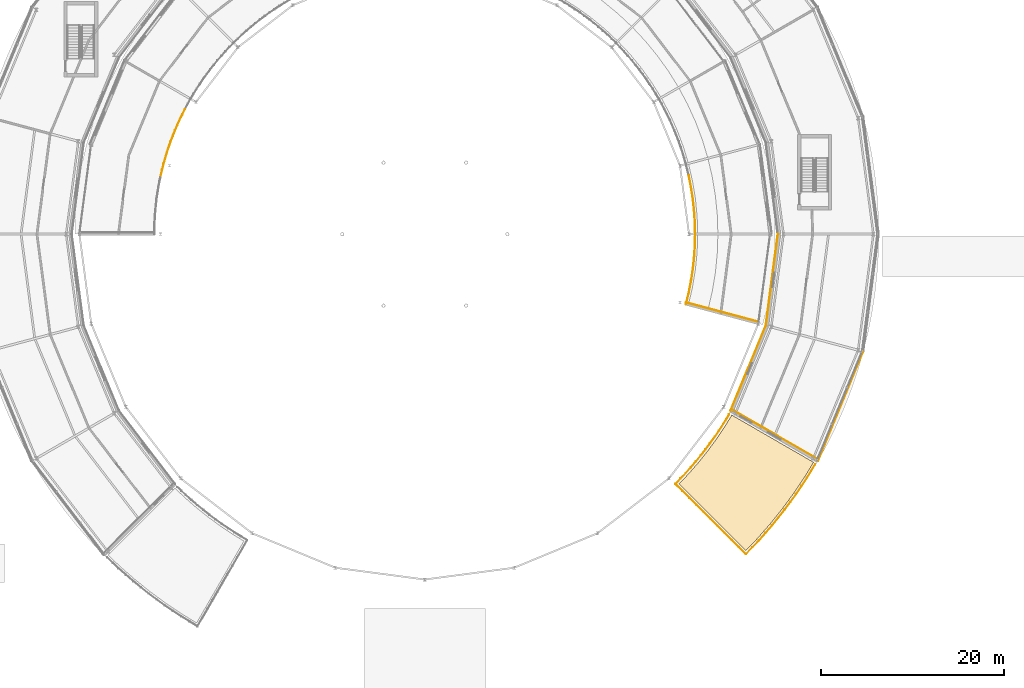
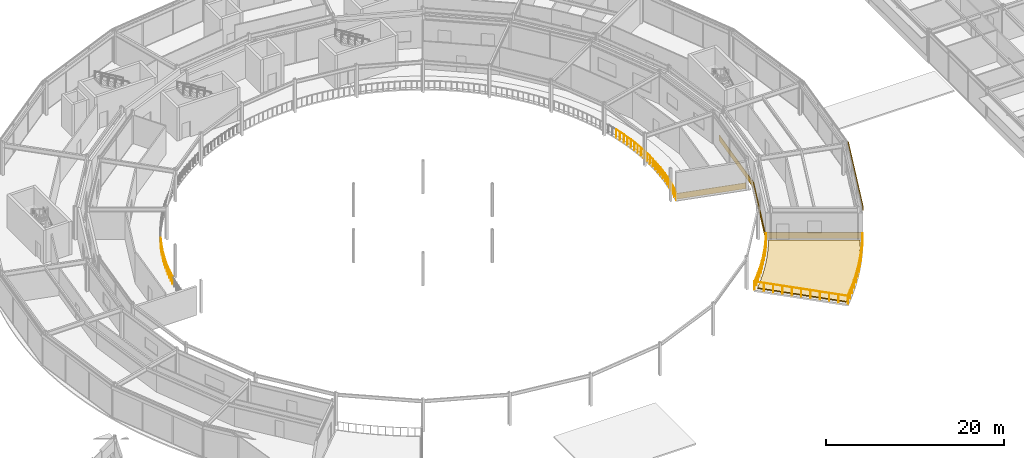
# One storey, part 117 of 133: 30 railings, 6 coverings.
"""IFC4 building model written with IfcOpenShell, lengths in metres."""

from ifc_helpers import new_model, si_unit, direction, frame, origin, origin_2d, place, context, subcontext, project, spatial, polyline, rectangle, circle, outline, extrude, material, layer, layer_set, type_object, element, save


model = new_model("IFC4")

# Units and contexts
model_context = context("Model", 3, precision=1e-05, world=origin(), true_north=direction((0.0, 1.0)))
body_context = subcontext(model_context, "Body", "Model", "MODEL_VIEW")
ifc_project = project(units=[si_unit("LENGTHUNIT", "METRE"), si_unit("AREAUNIT", "SQUARE_METRE"), si_unit("VOLUMEUNIT", "CUBIC_METRE"), si_unit("PLANEANGLEUNIT", "RADIAN"), si_unit("MASSUNIT", "GRAM", prefix="KILO")], contexts=[model_context])

# Site, building, storey
site_placement = place(None, origin())
site = spatial("IfcSite", under=ifc_project, at=site_placement, CompositionType="ELEMENT")
building_placement = place(site_placement, origin())
building = spatial("IfcBuilding", under=site, at=building_placement, Name="Almandine Court Research Institute", CompositionType="ELEMENT")
storey_placement = place(building_placement, frame((0.0, 0.0, 9.800048828125)))
storey = spatial("IfcBuildingStorey", under=building, at=storey_placement, Name="L02", CompositionType="ELEMENT", Elevation=9.800048828125)

# Coverings
ifc_material_1 = material(Name="Extruded Cream-Ochre Seismic Terracotta Spandrel", Category="masonry")
ifc_layer_1 = layer(ifc_material_1, 0.054931640625)
ifc_layer_set_1 = layer_set([ifc_layer_1], Name="Extruded Cream-Ochre Seismic Terracotta Spandrel")
covering_type_1 = type_object("IfcCoveringType", Name="Cov-CLAD-TERR", PredefinedType="CLADDING", material=ifc_layer_set_1)
covering_1_placement = place(storey_placement, frame((132.323974609375, 37.22607421875, 3.97998046875), z_axis=(0.0, 0.0, 1.0), x_axis=(-0.382683432365, -0.923879532511, 0.0)))
element("IfcCovering", 1, at=covering_1_placement, inside=storey, type_object=covering_type_1, Name="L02 Drum Stacked Terracotta Ring Band 22", PredefinedType="CLADDING", context=body_context, shape_type="SweptSolid", body=[
    extrude(rectangle(XDim=12.8779296875, YDim=0.054931640625, at=origin_2d()), origin(), (0.0, 0.0, 1.0), 0.419921875),
])
for number, where, z_axis, x_axis, name in (
    (2, (122.25390625, 41.39697265625, 0.02001953125), (0.0, 0.0, 1.0), (0.382683432365, 0.923879532511, 0.0), "L02 Facade Spandrel Cladding Band 337"),
    (3, (124.83203125, 51.01904296875, 0.02001953125), (0.0, 0.0, 1.0), (0.13052619222, 0.991444861374, 0.0), "L02 Facade Spandrel Cladding Band 339"),
):
    element("IfcCovering", number, at=place(storey_placement, frame(where, z_axis=z_axis, x_axis=x_axis)), inside=storey, type_object=covering_type_1, Name=name, PredefinedType="CLADDING", context=body_context, shape_type="SweptSolid", body=[
        extrude(rectangle(XDim=10.080078125, YDim=0.054931640625, at=origin_2d()), origin(), (0.0, 0.0, 1.0), 0.800048828125),
    ])
covering_2_placement = place(storey_placement, frame((125.18994140625, 34.14794921875, 0.02001953125), z_axis=(0.0, 0.0, 1.0), x_axis=(0.866025403784, -0.5, 0.0)))
element("IfcCovering", 4, at=covering_2_placement, inside=storey, type_object=covering_type_1, Name="L02 Facade Spandrel Cladding Band 370", PredefinedType="CLADDING", context=body_context, shape_type="SweptSolid", body=[
    extrude(rectangle(XDim=10.950927734375, YDim=0.054931640625, at=origin_2d()), origin(), (0.0, 0.0, 1.0), 0.800048828125),
])
covering_3_placement = place(storey_placement, frame((119.427001953125, 47.488037109375, 0.02001953125), z_axis=(0.0, 0.0, 1.0), x_axis=(0.965925826289, -0.258819045103, 0.0)))
element("IfcCovering", 5, at=covering_3_placement, inside=storey, type_object=covering_type_1, Name="L02 Facade Spandrel Cladding Band 462", PredefinedType="CLADDING", context=body_context, shape_type="SweptSolid", body=[
    extrude(rectangle(XDim=8.202880859375, YDim=0.054931640625, at=origin_2d()), origin(), (0.0, 0.0, 1.0), 0.800048828125),
])
ifc_material_2 = material(Name="Extensive Andean Sedum Planted Green Roof Build-Up")
ifc_layer_2 = layer(ifc_material_2, 0.139892578125)
ifc_layer_set_2 = layer_set([ifc_layer_2], Name="Extensive Andean Sedum Planted Green Roof Build-Up")
covering_type_2 = type_object("IfcCoveringType", Name="Cov-ROOF-GREEN", PredefinedType="ROOFING", material=ifc_layer_set_2)
covering_4_placement = place(storey_placement, origin())
element("IfcCovering", 6, at=covering_4_placement, inside=storey, type_object=covering_type_2, Name="L02 Planted Green Roof Covering 12", PredefinedType="ROOFING", context=body_context, shape_type="SweptSolid", body=[
    extrude(outline(polyline([(121.9970703125, 21.498046875), (114.714111328125, 28.781005859375), (115.64306640625, 29.75390625), (116.760986328125, 31.028076171875), (117.822021484375, 32.35009765625), (118.823974609375, 33.716064453125), (119.76611328125, 35.1259765625), (120.464111328125, 36.27587890625), (129.383056640625, 31.1259765625), (128.452880859375, 29.592041015625), (127.260986328125, 27.80908203125), (125.992919921875, 26.0791015625), (124.65087890625, 24.406982421875), (123.237060546875, 22.7939453125), (121.9970703125, 21.498046875)])), origin(), (0.0, 0.0, 1.0), 0.139892578125),
])

# Railings
ifc_material_3 = material(Name="Architectural Powder-Coated Aluminium Balustrade", Category="aluminium")
railing_type_1 = type_object("IfcRailingType", Name="Rail-BAL-EXT", PredefinedType="BALUSTRADE", material=ifc_material_3)
railing_1_placement = place(storey_placement, frame((122.0009765625, 21.112060546875, 0.0)))
element("IfcRailing", 7, at=railing_1_placement, inside=storey, type_object=railing_type_1, Name="L02 Terrace Perimeter Balustrade 050", PredefinedType="BALUSTRADE", context=body_context, shape_type="SweptSolid", body=[
    extrude(circle(Radius=0.02392578125, at=origin_2d()), frame((0.0, 0.0, 1.1259765625), z_axis=(-0.707106781187, 0.707106781187, 0.0), x_axis=(-0.707106781187, -0.707106781187, 0.0)), (0.0, 0.0, 1.0), 10.840087890625),
    extrude(circle(Radius=0.02099609375, at=origin_2d()), origin(), (0.0, 0.0, 1.0), 1.101806640625),
    extrude(circle(Radius=0.02099609375, at=origin_2d()), frame((-0.7666015625, 0.7666015625, 0.0)), (0.0, 0.0, 1.0), 1.101806640625),
    extrude(circle(Radius=0.02099609375, at=origin_2d()), frame((-1.532958984375, 1.532958984375, 0.0)), (0.0, 0.0, 1.0), 1.101806640625),
    extrude(circle(Radius=0.02099609375, at=origin_2d()), frame((-2.299560546875, 2.299560546875, 0.0)), (0.0, 0.0, 1.0), 1.101806640625),
    extrude(circle(Radius=0.02099609375, at=origin_2d()), frame((-3.06591796875, 3.06591796875, 0.0)), (0.0, 0.0, 1.0), 1.101806640625),
    extrude(circle(Radius=0.02099609375, at=origin_2d()), frame((-3.83251953125, 3.83251953125, 0.0)), (0.0, 0.0, 1.0), 1.101806640625),
    extrude(circle(Radius=0.02099609375, at=origin_2d()), frame((-4.59912109375, 4.59912109375, 0.0)), (0.0, 0.0, 1.0), 1.101806640625),
    extrude(circle(Radius=0.02099609375, at=origin_2d()), frame((-5.365478515625, 5.365478515625, 0.0)), (0.0, 0.0, 1.0), 1.101806640625),
    extrude(circle(Radius=0.02099609375, at=origin_2d()), frame((-6.132080078125, 6.132080078125, 0.0)), (0.0, 0.0, 1.0), 1.101806640625),
    extrude(circle(Radius=0.02099609375, at=origin_2d()), frame((-6.8984375, 6.8984375, 0.0)), (0.0, 0.0, 1.0), 1.101806640625),
    extrude(circle(Radius=0.02099609375, at=origin_2d()), frame((-7.6650390625, 7.6650390625, 0.0)), (0.0, 0.0, 1.0), 1.101806640625),
])
railing_2_placement = place(storey_placement, frame((114.3359375, 28.777099609375, 0.0)))
element("IfcRailing", 8, at=railing_2_placement, inside=storey, type_object=railing_type_1, Name="L02 Terrace Perimeter Balustrade 051", PredefinedType="BALUSTRADE", context=body_context, shape_type="SweptSolid", body=[
    extrude(circle(Radius=0.02392578125, at=origin_2d()), frame((0.0, 0.0, 1.1259765625), z_axis=(0.691094727198, 0.722764192555, 0.0), x_axis=(-0.722764192555, 0.691094727198, 0.0)), (0.0, 0.0, 1.0), 1.603515625),
    extrude(circle(Radius=0.02099609375, at=origin_2d()), origin(), (0.0, 0.0, 1.0), 1.101806640625),
    extrude(circle(Radius=0.02099609375, at=origin_2d()), frame((0.55419921875, 0.57958984375, 0.0)), (0.0, 0.0, 1.0), 1.101806640625),
    extrude(circle(Radius=0.02099609375, at=origin_2d()), frame((1.108154296875, 1.158935546875, 0.0)), (0.0, 0.0, 1.0), 1.101806640625),
])
railing_3_placement = place(storey_placement, frame((115.444091796875, 29.93603515625, 0.0)))
element("IfcRailing", 9, at=railing_3_placement, inside=storey, type_object=railing_type_1, Name="L02 Terrace Perimeter Balustrade 052", PredefinedType="BALUSTRADE", context=body_context, shape_type="SweptSolid", body=[
    extrude(circle(Radius=0.02392578125, at=origin_2d()), frame((0.0, 0.0, 1.1259765625), z_axis=(0.659253757074, 0.751920530231, 0.0), x_axis=(-0.751920530231, 0.659253757074, 0.0)), (0.0, 0.0, 1.0), 1.68359375),
    extrude(circle(Radius=0.02099609375, at=origin_2d()), origin(), (0.0, 0.0, 1.0), 1.101806640625),
    extrude(circle(Radius=0.02099609375, at=origin_2d()), frame((0.554931640625, 0.6328125, 0.0)), (0.0, 0.0, 1.0), 1.101806640625),
    extrude(circle(Radius=0.02099609375, at=origin_2d()), frame((1.10986328125, 1.265869140625, 0.0)), (0.0, 0.0, 1.0), 1.101806640625),
])
railing_4_placement = place(storey_placement, frame((116.553955078125, 31.201904296875, 0.0)))
element("IfcRailing", 10, at=railing_4_placement, inside=storey, type_object=railing_type_1, Name="L02 Terrace Perimeter Balustrade 053", PredefinedType="BALUSTRADE", context=body_context, shape_type="SweptSolid", body=[
    extrude(circle(Radius=0.02392578125, at=origin_2d()), frame((0.0, 0.0, 1.1259765625), z_axis=(0.625915440512, 0.779890929123, 0.0), x_axis=(-0.779890929123, 0.625915440512, 0.0)), (0.0, 0.0, 1.0), 1.682373046875),
    extrude(circle(Radius=0.02099609375, at=origin_2d()), origin(), (0.0, 0.0, 1.0), 1.101806640625),
    extrude(circle(Radius=0.02099609375, at=origin_2d()), frame((0.5263671875, 0.656005859375, 0.0)), (0.0, 0.0, 1.0), 1.101806640625),
    extrude(circle(Radius=0.02099609375, at=origin_2d()), frame((1.052978515625, 1.31201171875, 0.0)), (0.0, 0.0, 1.0), 1.101806640625),
])
railing_5_placement = place(storey_placement, frame((117.60693359375, 32.513916015625, 0.0)))
element("IfcRailing", 11, at=railing_5_placement, inside=storey, type_object=railing_type_1, Name="L02 Terrace Perimeter Balustrade 054", PredefinedType="BALUSTRADE", context=body_context, shape_type="SweptSolid", body=[
    extrude(circle(Radius=0.02392578125, at=origin_2d()), frame((0.0, 0.0, 1.1259765625), z_axis=(0.591684255025, 0.806169797472, 0.0), x_axis=(-0.806169797472, 0.591684255025, 0.0)), (0.0, 0.0, 1.0), 1.68359375),
    extrude(circle(Radius=0.02099609375, at=origin_2d()), origin(), (0.0, 0.0, 1.0), 1.101806640625),
    extrude(circle(Radius=0.02099609375, at=origin_2d()), frame((0.498046875, 0.6787109375, 0.0)), (0.0, 0.0, 1.0), 1.101806640625),
    extrude(circle(Radius=0.02099609375, at=origin_2d()), frame((0.99609375, 1.357177734375, 0.0)), (0.0, 0.0, 1.0), 1.101806640625),
])
railing_6_placement = place(storey_placement, frame((118.60302734375, 33.87109375, 0.0)))
element("IfcRailing", 12, at=railing_6_placement, inside=storey, type_object=railing_type_1, Name="L02 Terrace Perimeter Balustrade 055", PredefinedType="BALUSTRADE", context=body_context, shape_type="SweptSolid", body=[
    extrude(circle(Radius=0.02392578125, at=origin_2d()), frame((0.0, 0.0, 1.1259765625), z_axis=(0.555436247227, 0.831559123133, 0.0), x_axis=(-0.831559123133, 0.555436247227, 0.0)), (0.0, 0.0, 1.0), 1.683349609375),
    extrude(circle(Radius=0.02099609375, at=origin_2d()), origin(), (0.0, 0.0, 1.0), 1.101806640625),
    extrude(circle(Radius=0.02099609375, at=origin_2d()), frame((0.467529296875, 0.699951171875, 0.0)), (0.0, 0.0, 1.0), 1.101806640625),
    extrude(circle(Radius=0.02099609375, at=origin_2d()), frame((0.93505859375, 1.39990234375, 0.0)), (0.0, 0.0, 1.0), 1.101806640625),
])
railing_7_placement = place(storey_placement, frame((119.5380859375, 35.27099609375, 0.0)))
element("IfcRailing", 13, at=railing_7_placement, inside=storey, type_object=railing_type_1, Name="L02 Terrace Perimeter Balustrade 056", PredefinedType="BALUSTRADE", context=body_context, shape_type="SweptSolid", body=[
    extrude(circle(Radius=0.02392578125, at=origin_2d()), frame((0.0, 0.0, 1.1259765625), z_axis=(0.518972967261, 0.854790652296, 0.0), x_axis=(-0.854790652296, 0.518972967261, 0.0)), (0.0, 0.0, 1.0), 1.23291015625),
    extrude(circle(Radius=0.02099609375, at=origin_2d()), origin(), (0.0, 0.0, 1.0), 1.101806640625),
    extrude(circle(Radius=0.02099609375, at=origin_2d()), frame((0.31982421875, 0.52685546875, 0.0)), (0.0, 0.0, 1.0), 1.101806640625),
    extrude(circle(Radius=0.02099609375, at=origin_2d()), frame((0.639892578125, 1.053955078125, 0.0)), (0.0, 0.0, 1.0), 1.101806640625),
])
railing_8_placement = place(storey_placement, frame((129.56494140625, 30.905029296875, 0.0)))
element("IfcRailing", 14, at=railing_8_placement, inside=storey, type_object=railing_type_1, Name="L02 Terrace Perimeter Balustrade 057", PredefinedType="BALUSTRADE", context=body_context, shape_type="SweptSolid", body=[
    extrude(circle(Radius=0.02392578125, at=origin_2d()), frame((0.0, 0.0, 1.1259765625), z_axis=(-0.518469892181, -0.85509588404, 0.0), x_axis=(0.85509588404, -0.518469892181, 0.0)), (0.0, 0.0, 1.0), 1.705078125),
    extrude(circle(Radius=0.02099609375, at=origin_2d()), origin(), (0.0, 0.0, 1.0), 1.101806640625),
    extrude(circle(Radius=0.02099609375, at=origin_2d()), frame((-0.44189453125, -0.72900390625, 0.0)), (0.0, 0.0, 1.0), 1.101806640625),
    extrude(circle(Radius=0.02099609375, at=origin_2d()), frame((-0.884033203125, -1.4580078125, 0.0)), (0.0, 0.0, 1.0), 1.101806640625),
])
railing_9_placement = place(storey_placement, frame((128.680908203125, 29.447021484375, 0.0)))
element("IfcRailing", 15, at=railing_9_placement, inside=storey, type_object=railing_type_1, Name="L02 Terrace Perimeter Balustrade 058", PredefinedType="BALUSTRADE", context=body_context, shape_type="SweptSolid", body=[
    extrude(circle(Radius=0.02392578125, at=origin_2d()), frame((0.0, 0.0, 1.1259765625), z_axis=(-0.555875075186, -0.831265842428, 0.0), x_axis=(0.831265842428, -0.555875075186, 0.0)), (0.0, 0.0, 1.0), 2.156982421875),
    extrude(circle(Radius=0.02099609375, at=origin_2d()), origin(), (0.0, 0.0, 1.0), 1.101806640625),
    extrude(circle(Radius=0.02099609375, at=origin_2d()), frame((-0.599609375, -0.896484375, 0.0)), (0.0, 0.0, 1.0), 1.101806640625),
    extrude(circle(Radius=0.02099609375, at=origin_2d()), frame((-1.198974609375, -1.79296875, 0.0)), (0.0, 0.0, 1.0), 1.101806640625),
])
railing_10_placement = place(storey_placement, frame((127.48193359375, 27.654052734375, 0.0)))
element("IfcRailing", 16, at=railing_10_placement, inside=storey, type_object=railing_type_1, Name="L02 Terrace Perimeter Balustrade 059", PredefinedType="BALUSTRADE", context=body_context, shape_type="SweptSolid", body=[
    extrude(circle(Radius=0.02392578125, at=origin_2d()), frame((0.0, 0.0, 1.1259765625), z_axis=(-0.590956072387, -0.806703737756, 0.0), x_axis=(0.806703737756, -0.590956072387, 0.0)), (0.0, 0.0, 1.0), 2.15576171875),
    extrude(circle(Radius=0.02099609375, at=origin_2d()), origin(), (0.0, 0.0, 1.0), 1.101806640625),
    extrude(circle(Radius=0.02099609375, at=origin_2d()), frame((-0.636962890625, -0.86962890625, 0.0)), (0.0, 0.0, 1.0), 1.101806640625),
    extrude(circle(Radius=0.02099609375, at=origin_2d()), frame((-1.27392578125, -1.739013671875, 0.0)), (0.0, 0.0, 1.0), 1.101806640625),
])
railing_11_placement = place(storey_placement, frame((126.2080078125, 25.9150390625, 0.0)))
element("IfcRailing", 17, at=railing_11_placement, inside=storey, type_object=railing_type_1, Name="L02 Terrace Perimeter Balustrade 060", PredefinedType="BALUSTRADE", context=body_context, shape_type="SweptSolid", body=[
    extrude(circle(Radius=0.02392578125, at=origin_2d()), frame((0.0, 0.0, 1.1259765625), z_axis=(-0.625936578054, -0.779873964339, 0.0), x_axis=(0.779873964339, -0.625936578054, 0.0)), (0.0, 0.0, 1.0), 2.156982421875),
    extrude(circle(Radius=0.02099609375, at=origin_2d()), origin(), (0.0, 0.0, 1.0), 1.101806640625),
    extrude(circle(Radius=0.02099609375, at=origin_2d()), frame((-0.675048828125, -0.841064453125, 0.0)), (0.0, 0.0, 1.0), 1.101806640625),
    extrude(circle(Radius=0.02099609375, at=origin_2d()), frame((-1.35009765625, -1.68212890625, 0.0)), (0.0, 0.0, 1.0), 1.101806640625),
])
railing_12_placement = place(storey_placement, frame((124.85791015625, 24.23291015625, 0.0)))
element("IfcRailing", 18, at=railing_12_placement, inside=storey, type_object=railing_type_1, Name="L02 Terrace Perimeter Balustrade 061", PredefinedType="BALUSTRADE", context=body_context, shape_type="SweptSolid", body=[
    extrude(circle(Radius=0.02392578125, at=origin_2d()), frame((0.0, 0.0, 1.1259765625), z_axis=(-0.659458025954, -0.751741386385, 0.0), x_axis=(0.751741386385, -0.659458025954, 0.0)), (0.0, 0.0, 1.0), 2.156005859375),
    extrude(circle(Radius=0.02099609375, at=origin_2d()), origin(), (0.0, 0.0, 1.0), 1.101806640625),
    extrude(circle(Radius=0.02099609375, at=origin_2d()), frame((-0.7109375, -0.810546875, 0.0)), (0.0, 0.0, 1.0), 1.101806640625),
    extrude(circle(Radius=0.02099609375, at=origin_2d()), frame((-1.421875, -1.620849609375, 0.0)), (0.0, 0.0, 1.0), 1.101806640625),
])
railing_13_placement = place(storey_placement, frame((123.43603515625, 22.612060546875, 0.0)))
element("IfcRailing", 19, at=railing_13_placement, inside=storey, type_object=railing_type_1, Name="L02 Terrace Perimeter Balustrade 062", PredefinedType="BALUSTRADE", context=body_context, shape_type="SweptSolid", body=[
    extrude(circle(Radius=0.02392578125, at=origin_2d()), frame((0.0, 0.0, 1.1259765625), z_axis=(-0.691292069031, -0.722575446092, 0.0), x_axis=(0.722575446092, -0.691292069031, 0.0)), (0.0, 0.0, 1.0), 2.075927734375),
    extrude(circle(Radius=0.02099609375, at=origin_2d()), origin(), (0.0, 0.0, 1.0), 1.101806640625),
    extrude(circle(Radius=0.02099609375, at=origin_2d()), frame((-0.717529296875, -0.75, 0.0)), (0.0, 0.0, 1.0), 1.101806640625),
    extrude(circle(Radius=0.02099609375, at=origin_2d()), frame((-1.43505859375, -1.5, 0.0)), (0.0, 0.0, 1.0), 1.101806640625),
])
ifc_material_4 = material(Name="Powder-Coated Steel Stair and Atrium Balustrade", Category="steel")
railing_type_2 = type_object("IfcRailingType", Name="Rail-GUARD-INT", PredefinedType="BALUSTRADE", material=ifc_material_4)
railing_14_placement = place(storey_placement, frame((115.47509765625, 48.3701171875, 0.0)))
element("IfcRailing", 20, at=railing_14_placement, inside=storey, type_object=railing_type_2, Name="L02 Atrium Gallery Void Balustrade 001", PredefinedType="BALUSTRADE", context=body_context, shape_type="SweptSolid", body=[
    extrude(circle(Radius=0.02392578125, at=origin_2d()), frame((0.0, 0.0, 1.09619140625), z_axis=(0.237930881157, 0.971282088681, 0.0), x_axis=(-0.971282088681, 0.237930881157, 0.0)), (0.0, 0.0, 1.0), 1.28564453125),
    extrude(circle(Radius=0.02099609375, at=origin_2d()), origin(), (0.0, 0.0, 1.0), 1.072021484375),
    extrude(circle(Radius=0.02099609375, at=origin_2d()), frame((0.15283203125, 0.62451171875, 0.0)), (0.0, 0.0, 1.0), 1.072021484375),
    extrude(circle(Radius=0.02099609375, at=origin_2d()), frame((0.305908203125, 1.248779296875, 0.0)), (0.0, 0.0, 1.0), 1.072021484375),
])
railing_15_placement = place(storey_placement, frame((115.781005859375, 49.618896484375, 0.0)))
element("IfcRailing", 21, at=railing_15_placement, inside=storey, type_object=railing_type_2, Name="L02 Atrium Gallery Void Balustrade 002", PredefinedType="BALUSTRADE", context=body_context, shape_type="SweptSolid", body=[
    extrude(circle(Radius=0.02392578125, at=origin_2d()), frame((0.0, 0.0, 1.09619140625), z_axis=(0.195021534149, 0.980798960653, 0.0), x_axis=(-0.980798960653, 0.195021534149, 0.0)), (0.0, 0.0, 1.0), 1.286865234375),
    extrude(circle(Radius=0.02099609375, at=origin_2d()), origin(), (0.0, 0.0, 1.0), 1.072021484375),
    extrude(circle(Radius=0.02099609375, at=origin_2d()), frame((0.12548828125, 0.631103515625, 0.0)), (0.0, 0.0, 1.0), 1.072021484375),
    extrude(circle(Radius=0.02099609375, at=origin_2d()), frame((0.2509765625, 1.26220703125, 0.0)), (0.0, 0.0, 1.0), 1.072021484375),
])
railing_16_placement = place(storey_placement, frame((116.031982421875, 50.881103515625, 0.0)))
element("IfcRailing", 22, at=railing_16_placement, inside=storey, type_object=railing_type_2, Name="L02 Atrium Gallery Void Balustrade 003", PredefinedType="BALUSTRADE", context=body_context, shape_type="SweptSolid", body=[
    extrude(circle(Radius=0.02392578125, at=origin_2d()), frame((0.0, 0.0, 1.09619140625), z_axis=(0.152442341489, 0.988312365865, 0.0), x_axis=(-0.988312365865, 0.152442341489, 0.0)), (0.0, 0.0, 1.0), 1.2861328125),
    extrude(circle(Radius=0.02099609375, at=origin_2d()), origin(), (0.0, 0.0, 1.0), 1.072021484375),
    extrude(circle(Radius=0.02099609375, at=origin_2d()), frame((0.09814453125, 0.635498046875, 0.0)), (0.0, 0.0, 1.0), 1.072021484375),
    extrude(circle(Radius=0.02099609375, at=origin_2d()), frame((0.196044921875, 1.27099609375, 0.0)), (0.0, 0.0, 1.0), 1.072021484375),
])
railing_17_placement = place(storey_placement, frame((116.22802734375, 52.152099609375, 0.0)))
element("IfcRailing", 23, at=railing_17_placement, inside=storey, type_object=railing_type_2, Name="L02 Atrium Gallery Void Balustrade 004", PredefinedType="BALUSTRADE", context=body_context, shape_type="SweptSolid", body=[
    extrude(circle(Radius=0.02392578125, at=origin_2d()), frame((0.0, 0.0, 1.09619140625), z_axis=(0.108744172855, 0.994069768613, 0.0), x_axis=(-0.994069768613, 0.108744172855, 0.0)), (0.0, 0.0, 1.0), 1.286376953125),
    extrude(circle(Radius=0.02099609375, at=origin_2d()), origin(), (0.0, 0.0, 1.0), 1.072021484375),
    extrude(circle(Radius=0.02099609375, at=origin_2d()), frame((0.06982421875, 0.639404296875, 0.0)), (0.0, 0.0, 1.0), 1.072021484375),
    extrude(circle(Radius=0.02099609375, at=origin_2d()), frame((0.139892578125, 1.27880859375, 0.0)), (0.0, 0.0, 1.0), 1.072021484375),
])
railing_18_placement = place(storey_placement, frame((116.367919921875, 53.430908203125, 0.0)))
element("IfcRailing", 24, at=railing_18_placement, inside=storey, type_object=railing_type_2, Name="L02 Atrium Gallery Void Balustrade 005", PredefinedType="BALUSTRADE", context=body_context, shape_type="SweptSolid", body=[
    extrude(circle(Radius=0.02392578125, at=origin_2d()), frame((0.0, 0.0, 1.09619140625), z_axis=(0.065309281592, 0.997865069906, 0.0), x_axis=(-0.997865069906, 0.065309281592, 0.0)), (0.0, 0.0, 1.0), 1.285888671875),
    extrude(circle(Radius=0.02099609375, at=origin_2d()), origin(), (0.0, 0.0, 1.0), 1.072021484375),
    extrude(circle(Radius=0.02099609375, at=origin_2d()), frame((0.0419921875, 0.6416015625, 0.0)), (0.0, 0.0, 1.0), 1.072021484375),
    extrude(circle(Radius=0.02099609375, at=origin_2d()), frame((0.083984375, 1.283203125, 0.0)), (0.0, 0.0, 1.0), 1.072021484375),
])
railing_19_placement = place(storey_placement, frame((116.451904296875, 54.714111328125, 0.0)))
element("IfcRailing", 25, at=railing_19_placement, inside=storey, type_object=railing_type_2, Name="L02 Atrium Gallery Void Balustrade 006", PredefinedType="BALUSTRADE", context=body_context, shape_type="SweptSolid", body=[
    extrude(circle(Radius=0.02392578125, at=origin_2d()), frame((0.0, 0.0, 1.09619140625), z_axis=(0.021828858561, 0.999761722079, 0.0), x_axis=(-0.999761722079, 0.021828858561, 0.0)), (0.0, 0.0, 1.0), 1.2861328125),
    extrude(circle(Radius=0.02099609375, at=origin_2d()), origin(), (0.0, 0.0, 1.0), 1.072021484375),
    extrude(circle(Radius=0.02099609375, at=origin_2d()), frame((0.01416015625, 0.64306640625, 0.0)), (0.0, 0.0, 1.0), 1.072021484375),
    extrude(circle(Radius=0.02099609375, at=origin_2d()), frame((0.028076171875, 1.285888671875, 0.0)), (0.0, 0.0, 1.0), 1.072021484375),
])
railing_20_placement = place(storey_placement, frame((116.47998046875, 56.0, 0.0)))
element("IfcRailing", 26, at=railing_20_placement, inside=storey, type_object=railing_type_2, Name="L02 Atrium Gallery Void Balustrade 007", PredefinedType="BALUSTRADE", context=body_context, shape_type="SweptSolid", body=[
    extrude(circle(Radius=0.02392578125, at=origin_2d()), frame((0.0, 0.0, 1.09619140625), z_axis=(-0.021828858561, 0.999761722079, 0.0), x_axis=(-0.999761722079, -0.021828858561, 0.0)), (0.0, 0.0, 1.0), 1.2861328125),
    extrude(circle(Radius=0.02099609375, at=origin_2d()), origin(), (0.0, 0.0, 1.0), 1.072021484375),
    extrude(circle(Radius=0.02099609375, at=origin_2d()), frame((-0.01416015625, 0.64306640625, 0.0)), (0.0, 0.0, 1.0), 1.072021484375),
    extrude(circle(Radius=0.02099609375, at=origin_2d()), frame((-0.028076171875, 1.285888671875, 0.0)), (0.0, 0.0, 1.0), 1.072021484375),
])
railing_21_placement = place(storey_placement, frame((116.451904296875, 57.285888671875, 0.0)))
element("IfcRailing", 27, at=railing_21_placement, inside=storey, type_object=railing_type_2, Name="L02 Atrium Gallery Void Balustrade 008", PredefinedType="BALUSTRADE", context=body_context, shape_type="SweptSolid", body=[
    extrude(circle(Radius=0.02392578125, at=origin_2d()), frame((0.0, 0.0, 1.09619140625), z_axis=(-0.065309281592, 0.997865069906, 0.0), x_axis=(-0.997865069906, -0.065309281592, 0.0)), (0.0, 0.0, 1.0), 1.285888671875),
    extrude(circle(Radius=0.02099609375, at=origin_2d()), origin(), (0.0, 0.0, 1.0), 1.072021484375),
    extrude(circle(Radius=0.02099609375, at=origin_2d()), frame((-0.0419921875, 0.6416015625, 0.0)), (0.0, 0.0, 1.0), 1.072021484375),
    extrude(circle(Radius=0.02099609375, at=origin_2d()), frame((-0.083984375, 1.283203125, 0.0)), (0.0, 0.0, 1.0), 1.072021484375),
])
railing_22_placement = place(storey_placement, frame((116.367919921875, 58.569091796875, 0.0)))
element("IfcRailing", 28, at=railing_22_placement, inside=storey, type_object=railing_type_2, Name="L02 Atrium Gallery Void Balustrade 009", PredefinedType="BALUSTRADE", context=body_context, shape_type="SweptSolid", body=[
    extrude(circle(Radius=0.02392578125, at=origin_2d()), frame((0.0, 0.0, 1.09619140625), z_axis=(-0.108744172855, 0.994069768613, 0.0), x_axis=(-0.994069768613, -0.108744172855, 0.0)), (0.0, 0.0, 1.0), 1.286376953125),
    extrude(circle(Radius=0.02099609375, at=origin_2d()), origin(), (0.0, 0.0, 1.0), 1.072021484375),
    extrude(circle(Radius=0.02099609375, at=origin_2d()), frame((-0.06982421875, 0.639404296875, 0.0)), (0.0, 0.0, 1.0), 1.072021484375),
    extrude(circle(Radius=0.02099609375, at=origin_2d()), frame((-0.139892578125, 1.27880859375, 0.0)), (0.0, 0.0, 1.0), 1.072021484375),
])
railing_23_placement = place(storey_placement, frame((116.22802734375, 59.847900390625, 0.0)))
element("IfcRailing", 29, at=railing_23_placement, inside=storey, type_object=railing_type_2, Name="L02 Atrium Gallery Void Balustrade 010", PredefinedType="BALUSTRADE", context=body_context, shape_type="SweptSolid", body=[
    extrude(circle(Radius=0.02392578125, at=origin_2d()), frame((0.0, 0.0, 1.09619140625), z_axis=(-0.152442341489, 0.988312365865, 0.0), x_axis=(-0.988312365865, -0.152442341489, 0.0)), (0.0, 0.0, 1.0), 1.2861328125),
    extrude(circle(Radius=0.02099609375, at=origin_2d()), origin(), (0.0, 0.0, 1.0), 1.072021484375),
    extrude(circle(Radius=0.02099609375, at=origin_2d()), frame((-0.09814453125, 0.635498046875, 0.0)), (0.0, 0.0, 1.0), 1.072021484375),
    extrude(circle(Radius=0.02099609375, at=origin_2d()), frame((-0.196044921875, 1.27099609375, 0.0)), (0.0, 0.0, 1.0), 1.072021484375),
])
railing_24_placement = place(storey_placement, frame((116.031982421875, 61.118896484375, 0.0)))
element("IfcRailing", 30, at=railing_24_placement, inside=storey, type_object=railing_type_2, Name="L02 Atrium Gallery Void Balustrade 011", PredefinedType="BALUSTRADE", context=body_context, shape_type="SweptSolid", body=[
    extrude(circle(Radius=0.02392578125, at=origin_2d()), frame((0.0, 0.0, 1.09619140625), z_axis=(-0.195021534149, 0.980798960653, 0.0), x_axis=(-0.980798960653, -0.195021534149, 0.0)), (0.0, 0.0, 1.0), 1.286865234375),
    extrude(circle(Radius=0.02099609375, at=origin_2d()), origin(), (0.0, 0.0, 1.0), 1.072021484375),
    extrude(circle(Radius=0.02099609375, at=origin_2d()), frame((-0.12548828125, 0.631103515625, 0.0)), (0.0, 0.0, 1.0), 1.072021484375),
    extrude(circle(Radius=0.02099609375, at=origin_2d()), frame((-0.2509765625, 1.26220703125, 0.0)), (0.0, 0.0, 1.0), 1.072021484375),
])
railing_25_placement = place(storey_placement, frame((60.85107421875, 69.612060546875, 0.0)))
element("IfcRailing", 31, at=railing_25_placement, inside=storey, type_object=railing_type_2, Name="L02 Atrium Gallery Void Balustrade 068", PredefinedType="BALUSTRADE", context=body_context, shape_type="SweptSolid", body=[
    extrude(circle(Radius=0.02392578125, at=origin_2d()), frame((0.0, 0.0, 1.09619140625), z_axis=(-0.442574895065, -0.896731544141, 0.0), x_axis=(0.896731544141, -0.442574895065, 0.0)), (0.0, 0.0, 1.0), 1.285888671875),
    extrude(circle(Radius=0.02099609375, at=origin_2d()), origin(), (0.0, 0.0, 1.0), 1.072021484375),
    extrude(circle(Radius=0.02099609375, at=origin_2d()), frame((-0.28466796875, -0.57666015625, 0.0)), (0.0, 0.0, 1.0), 1.072021484375),
    extrude(circle(Radius=0.02099609375, at=origin_2d()), frame((-0.569091796875, -1.153076171875, 0.0)), (0.0, 0.0, 1.0), 1.072021484375),
])
railing_26_placement = place(storey_placement, frame((60.281982421875, 68.458984375, 0.0)))
element("IfcRailing", 32, at=railing_26_placement, inside=storey, type_object=railing_type_2, Name="L02 Atrium Gallery Void Balustrade 069", PredefinedType="BALUSTRADE", context=body_context, shape_type="SweptSolid", body=[
    extrude(circle(Radius=0.02392578125, at=origin_2d()), frame((0.0, 0.0, 1.09619140625), z_axis=(-0.402859493135, -0.915261836193, 0.0), x_axis=(0.915261836193, -0.402859493135, 0.0)), (0.0, 0.0, 1.0), 1.285888671875),
    extrude(circle(Radius=0.02099609375, at=origin_2d()), origin(), (0.0, 0.0, 1.0), 1.072021484375),
    extrude(circle(Radius=0.02099609375, at=origin_2d()), frame((-0.259033203125, -0.58837890625, 0.0)), (0.0, 0.0, 1.0), 1.072021484375),
    extrude(circle(Radius=0.02099609375, at=origin_2d()), frame((-0.51806640625, -1.177001953125, 0.0)), (0.0, 0.0, 1.0), 1.072021484375),
])
railing_27_placement = place(storey_placement, frame((59.763916015625, 67.281982421875, 0.0)))
element("IfcRailing", 33, at=railing_27_placement, inside=storey, type_object=railing_type_2, Name="L02 Atrium Gallery Void Balustrade 070", PredefinedType="BALUSTRADE", context=body_context, shape_type="SweptSolid", body=[
    extrude(circle(Radius=0.02392578125, at=origin_2d()), frame((0.0, 0.0, 1.09619140625), z_axis=(-0.362143982207, -0.93212216804, 0.0), x_axis=(0.93212216804, -0.362143982207, 0.0)), (0.0, 0.0, 1.0), 1.286376953125),
    extrude(circle(Radius=0.02099609375, at=origin_2d()), origin(), (0.0, 0.0, 1.0), 1.072021484375),
    extrude(circle(Radius=0.02099609375, at=origin_2d()), frame((-0.23291015625, -0.599609375, 0.0)), (0.0, 0.0, 1.0), 1.072021484375),
    extrude(circle(Radius=0.02099609375, at=origin_2d()), frame((-0.4658203125, -1.198974609375, 0.0)), (0.0, 0.0, 1.0), 1.072021484375),
])
railing_28_placement = place(storey_placement, frame((59.298095703125, 66.0830078125, 0.0)))
element("IfcRailing", 34, at=railing_28_placement, inside=storey, type_object=railing_type_2, Name="L02 Atrium Gallery Void Balustrade 071", PredefinedType="BALUSTRADE", context=body_context, shape_type="SweptSolid", body=[
    extrude(circle(Radius=0.02392578125, at=origin_2d()), frame((0.0, 0.0, 1.09619140625), z_axis=(-0.321858504207, -0.946787781538, 0.0), x_axis=(0.946787781538, -0.321858504207, 0.0)), (0.0, 0.0, 1.0), 1.286376953125),
    extrude(circle(Radius=0.02099609375, at=origin_2d()), origin(), (0.0, 0.0, 1.0), 1.072021484375),
    extrude(circle(Radius=0.02099609375, at=origin_2d()), frame((-0.20703125, -0.60888671875, 0.0)), (0.0, 0.0, 1.0), 1.072021484375),
    extrude(circle(Radius=0.02099609375, at=origin_2d()), frame((-0.4140625, -1.218017578125, 0.0)), (0.0, 0.0, 1.0), 1.072021484375),
])
railing_29_placement = place(storey_placement, frame((58.884033203125, 64.864990234375, 0.0)))
element("IfcRailing", 35, at=railing_29_placement, inside=storey, type_object=railing_type_2, Name="L02 Atrium Gallery Void Balustrade 072", PredefinedType="BALUSTRADE", context=body_context, shape_type="SweptSolid", body=[
    extrude(circle(Radius=0.02392578125, at=origin_2d()), frame((0.0, 0.0, 1.09619140625), z_axis=(-0.279205449783, -0.96023138712, 0.0), x_axis=(0.96023138712, -0.279205449783, 0.0)), (0.0, 0.0, 1.0), 1.286376953125),
    extrude(circle(Radius=0.02099609375, at=origin_2d()), origin(), (0.0, 0.0, 1.0), 1.072021484375),
    extrude(circle(Radius=0.02099609375, at=origin_2d()), frame((-0.1796875, -0.61767578125, 0.0)), (0.0, 0.0, 1.0), 1.072021484375),
    extrude(circle(Radius=0.02099609375, at=origin_2d()), frame((-0.359130859375, -1.235107421875, 0.0)), (0.0, 0.0, 1.0), 1.072021484375),
])
railing_30_placement = place(storey_placement, frame((58.52490234375, 63.6298828125, 0.0)))
element("IfcRailing", 36, at=railing_30_placement, inside=storey, type_object=railing_type_2, Name="L02 Atrium Gallery Void Balustrade 073", PredefinedType="BALUSTRADE", context=body_context, shape_type="SweptSolid", body=[
    extrude(circle(Radius=0.02392578125, at=origin_2d()), frame((0.0, 0.0, 1.09619140625), z_axis=(-0.237930881157, -0.971282088681, 0.0), x_axis=(0.971282088681, -0.237930881157, 0.0)), (0.0, 0.0, 1.0), 1.28564453125),
    extrude(circle(Radius=0.02099609375, at=origin_2d()), origin(), (0.0, 0.0, 1.0), 1.072021484375),
    extrude(circle(Radius=0.02099609375, at=origin_2d()), frame((-0.15283203125, -0.62451171875, 0.0)), (0.0, 0.0, 1.0), 1.072021484375),
    extrude(circle(Radius=0.02099609375, at=origin_2d()), frame((-0.305908203125, -1.248779296875, 0.0)), (0.0, 0.0, 1.0), 1.072021484375),
])

save(model, "model.ifc")
